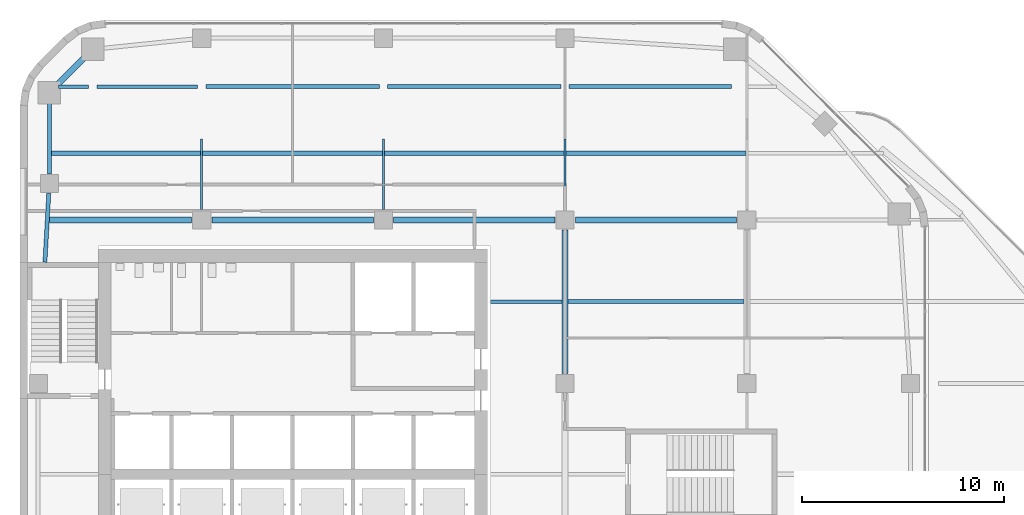
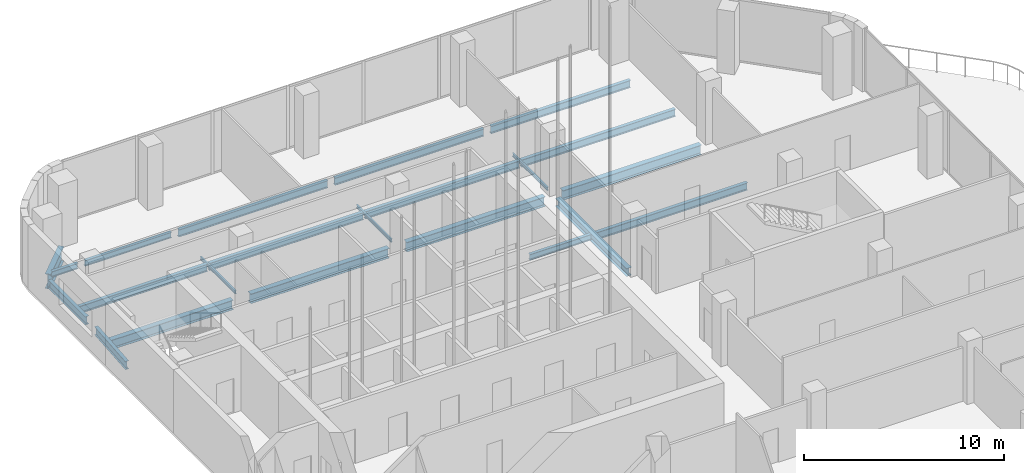
# One storey, part 20 of 29: 22 beams.
"""IFC4 building model written with IfcOpenShell, lengths in metres."""

from ifc_helpers import new_model, si_unit, direction, frame, origin, origin_2d, place, context, subcontext, project, spatial, i_section, extrude, material, material_profile, profile_set, type_object, element, save


model = new_model("IFC4")

# Units and contexts
model_context = context("Model", 3, precision=1e-05, world=origin(), true_north=direction((0.0, 1.0)))
body_context = subcontext(model_context, "Body", "Model", "MODEL_VIEW")
ifc_project = project(units=[si_unit("LENGTHUNIT", "METRE"), si_unit("AREAUNIT", "SQUARE_METRE"), si_unit("VOLUMEUNIT", "CUBIC_METRE"), si_unit("PLANEANGLEUNIT", "RADIAN"), si_unit("MASSUNIT", "GRAM", prefix="KILO")], contexts=[model_context])

# Site, building, storey
site_placement = place(None, origin())
site = spatial("IfcSite", under=ifc_project, at=site_placement, CompositionType="ELEMENT")
building_placement = place(site_placement, origin())
building = spatial("IfcBuilding", under=site, at=building_placement, Name="Cinnabar Reach Civic Tower", CompositionType="ELEMENT")
storey_placement = place(building_placement, frame((0.0, 0.0, 149.0)))
storey = spatial("IfcBuildingStorey", under=building, at=storey_placement, Name="L35", CompositionType="ELEMENT", Elevation=149.0)

# Beams
ifc_material = material(Name="Steel Q355B", Category="steel")
ifc_material_profile_1 = material_profile(ifc_material, i_section(OverallWidth=0.3, OverallDepth=0.488, WebThickness=0.011, FlangeThickness=0.018, FilletRadius=0.016, at=origin_2d()), Name="HM488x300x11x18")
ifc_profile_set_1 = profile_set([ifc_material_profile_1], Name="Steel Q355B")
beam_type_1 = type_object("IfcBeamType", Name="HM488x300x11x18 beam R 180", PredefinedType="BEAM", material=ifc_profile_set_1)
beam_1_placement = place(storey_placement, frame((27.0, 36.502, -0.394), z_axis=(0.0, 1.0, 0.0), x_axis=(-1.0, 0.0, 0.0)))
element("IfcBeam", 1, at=beam_1_placement, inside=storey, type_object=beam_type_1, Name="Girder T1 L35 13", PredefinedType="BEAM", context=body_context, shape_type="SweptSolid", body=[
    extrude(i_section(OverallWidth=0.3, OverallDepth=0.488, WebThickness=0.011, FlangeThickness=0.018, FilletRadius=0.016, at=origin_2d()), origin(), (0.0, 0.0, 1.0), 7.096),
])
ifc_material_profile_2 = material_profile(ifc_material, i_section(OverallWidth=0.3, OverallDepth=0.588, WebThickness=0.012, FlangeThickness=0.02, FilletRadius=0.016, at=origin_2d()), Name="HM588x300x12x20")
ifc_profile_set_2 = profile_set([ifc_material_profile_2], Name="Steel Q355B")
beam_type_2 = type_object("IfcBeamType", Name="HM588x300x12x20 beam R 180", PredefinedType="BEAM", material=ifc_profile_set_2)
beam_2_placement = place(storey_placement, frame((1.4548, 44.1, -0.444), z_axis=(1.0, 0.0, 0.0), x_axis=(0.0, 1.0, 0.0)))
element("IfcBeam", 2, at=beam_2_placement, inside=storey, type_object=beam_type_2, Name="Girder T1 L35 10", PredefinedType="BEAM", context=body_context, shape_type="SweptSolid", body=[
    extrude(i_section(OverallWidth=0.3, OverallDepth=0.588, WebThickness=0.012, FlangeThickness=0.02, FilletRadius=0.016, at=origin_2d()), origin(), (0.0, 0.0, 1.0), 7.0432),
])
for number, where, z_axis, x_axis, name in (
    (3, (9.502, 44.1, -0.444), (1.0, 0.0, 0.0), (0.0, 1.0, 0.0), "Girder T1 L35 11"),
    (4, (18.502, 44.1, -0.444), (1.0, 0.0, 0.0), (0.0, 1.0, 0.0), "Girder T1 L35 12"),
    (5, (27.502, 44.1, -0.444), (1.0, 0.0, 0.0), (0.0, 1.0, 0.0), "Girder T1 L35 13"),
):
    element("IfcBeam", number, at=place(storey_placement, frame(where, z_axis=z_axis, x_axis=x_axis)), inside=storey, type_object=beam_type_2, Name=name, PredefinedType="BEAM", context=body_context, shape_type="SweptSolid", body=[
        extrude(i_section(OverallWidth=0.3, OverallDepth=0.588, WebThickness=0.012, FlangeThickness=0.02, FilletRadius=0.016, at=origin_2d()), origin(), (0.0, 0.0, 1.0), 7.996),
    ])
ifc_material_profile_3 = material_profile(ifc_material, i_section(OverallWidth=0.099, OverallDepth=0.198, WebThickness=0.0045, FlangeThickness=0.007, FilletRadius=0.013, at=origin_2d()), Name="HN200x100x5.5x8")
ifc_profile_set_3 = profile_set([ifc_material_profile_3], Name="Steel Q355B")
beam_type_3 = type_object("IfcBeamType", Name="HN200x100x5.5x8 beam R 180", PredefinedType="BEAM", material=ifc_profile_set_3)
for number, where, z_axis, x_axis, name in (
    (6, (9.0, 44.602, -0.249), (0.0, 1.0, 0.0), (-1.0, 0.0, 0.0), "Girder T1 L35 4"),
    (7, (18.0, 44.602, -0.249), (0.0, 1.0, 0.0), (-1.0, 0.0, 0.0), "Girder T1 L35 8"),
    (8, (27.0, 44.602, -0.249), (0.0, 1.0, 0.0), (-1.0, 0.0, 0.0), "Girder T1 L35 14"),
):
    element("IfcBeam", number, at=place(storey_placement, frame(where, z_axis=z_axis, x_axis=x_axis)), inside=storey, type_object=beam_type_3, Name=name, PredefinedType="BEAM", context=body_context, shape_type="SweptSolid", body=[
        extrude(i_section(OverallWidth=0.099, OverallDepth=0.198, WebThickness=0.0045, FlangeThickness=0.007, FilletRadius=0.013, at=origin_2d()), origin(), (0.0, 0.0, 1.0), 3.496),
    ])
ifc_material_profile_4 = material_profile(ifc_material, i_section(OverallWidth=0.175, OverallDepth=0.35, WebThickness=0.007, FlangeThickness=0.011, FilletRadius=0.013, at=origin_2d()), Name="HN350x175x7x11")
ifc_profile_set_4 = profile_set([ifc_material_profile_4], Name="Steel Q355B")
beam_type_4 = type_object("IfcBeamType", Name="HN350x175x7x11 beam R 180", PredefinedType="BEAM", material=ifc_profile_set_4)
beam_3_placement = place(storey_placement, frame((23.302, 40.05, -0.325), z_axis=(1.0, 0.0, 0.0), x_axis=(0.0, 1.0, 0.0)))
element("IfcBeam", 9, at=beam_3_placement, inside=storey, type_object=beam_type_4, Name="Secondary beam T1 L35 16", PredefinedType="BEAM", context=body_context, shape_type="SweptSolid", body=[
    extrude(i_section(OverallWidth=0.175, OverallDepth=0.35, WebThickness=0.007, FlangeThickness=0.011, FilletRadius=0.013, at=origin_2d()), origin(), (0.0, 0.0, 1.0), 3.546),
])
beam_4_placement = place(storey_placement, frame((1.8992, 50.7, -0.325), z_axis=(1.0, 0.0, 0.0), x_axis=(0.0, 1.0, 0.0)))
element("IfcBeam", 10, at=beam_4_placement, inside=storey, type_object=beam_type_4, Name="Secondary beam T1 L35 26", PredefinedType="BEAM", context=body_context, shape_type="SweptSolid", body=[
    extrude(i_section(OverallWidth=0.175, OverallDepth=0.35, WebThickness=0.007, FlangeThickness=0.011, FilletRadius=0.013, at=origin_2d()), origin(), (0.0, 0.0, 1.0), 1.5007),
])
beam_5_placement = place(storey_placement, frame((3.8039, 50.7, -0.325), z_axis=(1.0, 0.0, 0.0), x_axis=(0.0, 1.0, 0.0)))
element("IfcBeam", 11, at=beam_5_placement, inside=storey, type_object=beam_type_4, Name="Secondary beam T1 L35 27", PredefinedType="BEAM", context=body_context, shape_type="SweptSolid", body=[
    extrude(i_section(OverallWidth=0.175, OverallDepth=0.35, WebThickness=0.007, FlangeThickness=0.011, FilletRadius=0.013, at=origin_2d()), origin(), (0.0, 0.0, 1.0), 4.9941),
])
ifc_material_profile_5 = material_profile(ifc_material, i_section(OverallWidth=0.2, OverallDepth=0.45, WebThickness=0.009, FlangeThickness=0.014, FilletRadius=0.016, at=origin_2d()), Name="HN450x200x9x14")
ifc_profile_set_5 = profile_set([ifc_material_profile_5], Name="Steel Q355B")
beam_type_5 = type_object("IfcBeamType", Name="HN450x200x9x14 beam R 180", PredefinedType="BEAM", material=ifc_profile_set_5)
beam_6_placement = place(storey_placement, frame((27.152, 40.05, -0.375), z_axis=(1.0, 0.0, 0.0), x_axis=(0.0, 1.0, 0.0)))
element("IfcBeam", 12, at=beam_6_placement, inside=storey, type_object=beam_type_5, Name="Secondary beam T1 L35 17", PredefinedType="BEAM", context=body_context, shape_type="SweptSolid", body=[
    extrude(i_section(OverallWidth=0.2, OverallDepth=0.45, WebThickness=0.009, FlangeThickness=0.014, FilletRadius=0.016, at=origin_2d()), origin(), (0.0, 0.0, 1.0), 8.696),
])
beam_7_placement = place(storey_placement, frame((1.5551, 47.4, -0.375), z_axis=(1.0, 0.0, 0.0), x_axis=(0.0, 1.0, 0.0)))
element("IfcBeam", 13, at=beam_7_placement, inside=storey, type_object=beam_type_5, Name="Secondary beam T1 L35 20", PredefinedType="BEAM", context=body_context, shape_type="SweptSolid", body=[
    extrude(i_section(OverallWidth=0.2, OverallDepth=0.45, WebThickness=0.009, FlangeThickness=0.014, FilletRadius=0.016, at=origin_2d()), origin(), (0.0, 0.0, 1.0), 7.3934),
])
for number, where, z_axis, x_axis, name in (
    (14, (9.0515, 47.4, -0.375), (1.0, 0.0, 0.0), (0.0, 1.0, 0.0), "Secondary beam T1 L35 21"),
    (15, (18.0515, 47.4, -0.375), (1.0, 0.0, 0.0), (0.0, 1.0, 0.0), "Secondary beam T1 L35 22"),
    (16, (27.0515, 47.4, -0.375), (1.0, 0.0, 0.0), (0.0, 1.0, 0.0), "Secondary beam T1 L35 23"),
):
    element("IfcBeam", number, at=place(storey_placement, frame(where, z_axis=z_axis, x_axis=x_axis)), inside=storey, type_object=beam_type_5, Name=name, PredefinedType="BEAM", context=body_context, shape_type="SweptSolid", body=[
        extrude(i_section(OverallWidth=0.2, OverallDepth=0.45, WebThickness=0.009, FlangeThickness=0.014, FilletRadius=0.016, at=origin_2d()), origin(), (0.0, 0.0, 1.0), 8.897),
    ])
for number, where, z_axis, x_axis, name in (
    (17, (9.202, 50.7, -0.375), (1.0, 0.0, 0.0), (0.0, 1.0, 0.0), "Secondary beam T1 L35 28"),
    (18, (18.202, 50.7, -0.375), (1.0, 0.0, 0.0), (0.0, 1.0, 0.0), "Secondary beam T1 L35 29"),
):
    element("IfcBeam", number, at=place(storey_placement, frame(where, z_axis=z_axis, x_axis=x_axis)), inside=storey, type_object=beam_type_5, Name=name, PredefinedType="BEAM", context=body_context, shape_type="SweptSolid", body=[
        extrude(i_section(OverallWidth=0.2, OverallDepth=0.45, WebThickness=0.009, FlangeThickness=0.014, FilletRadius=0.016, at=origin_2d()), origin(), (0.0, 0.0, 1.0), 8.596),
    ])
beam_8_placement = place(storey_placement, frame((27.202, 50.7, -0.375), z_axis=(1.0, 0.0, 0.0), x_axis=(0.0, 1.0, 0.0)))
element("IfcBeam", 19, at=beam_8_placement, inside=storey, type_object=beam_type_5, Name="Secondary beam T1 L35 30", PredefinedType="BEAM", context=body_context, shape_type="SweptSolid", body=[
    extrude(i_section(OverallWidth=0.2, OverallDepth=0.45, WebThickness=0.009, FlangeThickness=0.014, FilletRadius=0.016, at=origin_2d()), origin(), (0.0, 0.0, 1.0), 8.0486),
])
ifc_material_profile_6 = material_profile(ifc_material, i_section(OverallWidth=0.2, OverallDepth=0.5, WebThickness=0.01, FlangeThickness=0.016, FilletRadius=0.016, at=origin_2d()), Name="HN500x200x10x16")
ifc_profile_set_6 = profile_set([ifc_material_profile_6], Name="Steel Q355B")
beam_type_6 = type_object("IfcBeamType", Name="HN500x200x10x16 beam R 180", PredefinedType="BEAM", material=ifc_profile_set_6)
beam_9_placement = place(storey_placement, frame((1.4531, 50.0932, -0.4), z_axis=(0.0, -1.0, 0.0), x_axis=(1.0, 0.0, 0.0)))
element("IfcBeam", 20, at=beam_9_placement, inside=storey, type_object=beam_type_6, Name="Edge beam T1 L35 16", PredefinedType="BEAM", context=body_context, shape_type="SweptSolid", body=[
    extrude(i_section(OverallWidth=0.2, OverallDepth=0.5, WebThickness=0.01, FlangeThickness=0.016, FilletRadius=0.016, at=origin_2d()), origin(), (0.0, 0.0, 1.0), 3.7131),
])
beam_10_placement = place(storey_placement, frame((1.4262, 45.4161, -0.4), z_axis=(-0.055798816608, -0.998442032401, 0.0), x_axis=(0.998442032401, -0.055798816608, 0.0)))
element("IfcBeam", 21, at=beam_10_placement, inside=storey, type_object=beam_type_6, Name="Edge beam T1 L35 17", PredefinedType="BEAM", context=body_context, shape_type="SweptSolid", body=[
    extrude(i_section(OverallWidth=0.2, OverallDepth=0.5, WebThickness=0.01, FlangeThickness=0.016, FilletRadius=0.016, at=origin_2d()), origin(), (0.0, 0.0, 1.0), 3.4194),
])
ifc_material_profile_7 = material_profile(ifc_material, i_section(OverallWidth=0.3, OverallDepth=0.9, WebThickness=0.016, FlangeThickness=0.028, FilletRadius=0.02, at=origin_2d()), Name="HN900x300x16x28")
ifc_profile_set_7 = profile_set([ifc_material_profile_7], Name="Steel Q355B")
beam_type_7 = type_object("IfcBeamType", Name="TRANSFER HN900x300x16x28 R 240", PredefinedType="BEAM", material=ifc_profile_set_7)
beam_11_placement = place(storey_placement, frame((3.3999, 52.3449, -0.6), z_axis=(-0.707106781187, -0.707106781187, 0.0), x_axis=(0.707106781187, -0.707106781187, 0.0)))
element("IfcBeam", 22, at=beam_11_placement, inside=storey, type_object=beam_type_7, Name="Edge beam T1 L35 15", PredefinedType="BEAM", context=body_context, shape_type="SweptSolid", body=[
    extrude(i_section(OverallWidth=0.3, OverallDepth=0.9, WebThickness=0.016, FlangeThickness=0.028, FilletRadius=0.02, at=origin_2d()), origin(), (0.0, 0.0, 1.0), 2.5467),
])

save(model, "model.ifc")
